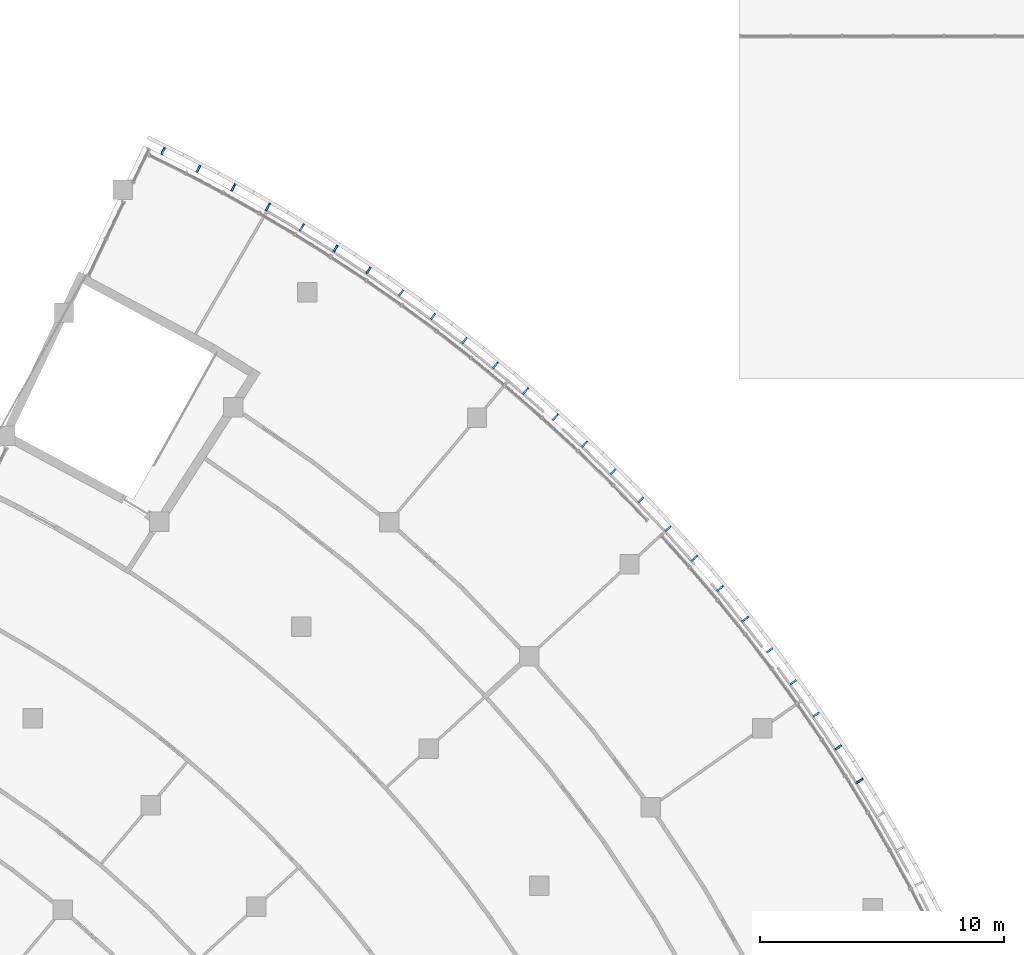
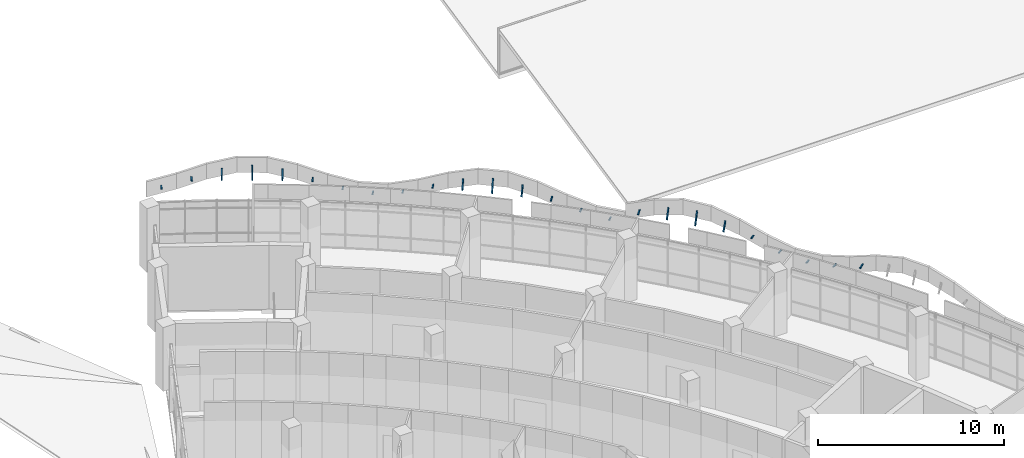
# One storey, part 95 of 137: 25 discrete accessories.
"""IFC4 building model written with IfcOpenShell, lengths in metres."""

from ifc_helpers import new_model, si_unit, direction, frame, origin, origin_2d, place, context, subcontext, project, spatial, rectangle, extrude, material, material_profile, profile_set, type_object, element, save


model = new_model("IFC4")

# Units and contexts
model_context = context("Model", 3, precision=1e-05, world=origin(), true_north=direction((0.0, 1.0)))
body_context = subcontext(model_context, "Body", "Model", "MODEL_VIEW")
ifc_project = project(units=[si_unit("LENGTHUNIT", "METRE"), si_unit("AREAUNIT", "SQUARE_METRE"), si_unit("VOLUMEUNIT", "CUBIC_METRE"), si_unit("PLANEANGLEUNIT", "RADIAN"), si_unit("MASSUNIT", "GRAM", prefix="KILO")], contexts=[model_context])

# Site, building, storey
site_placement = place(None, origin())
site = spatial("IfcSite", under=ifc_project, at=site_placement, CompositionType="ELEMENT")
building_placement = place(site_placement, origin())
building = spatial("IfcBuilding", under=site, at=building_placement, Name="Bougainvillea Quay General Hospital", CompositionType="ELEMENT")
storey_placement = place(building_placement, frame((0.0, 0.0, 16.800048828125)))
storey = spatial("IfcBuildingStorey", under=building, at=storey_placement, Name="L03", CompositionType="ELEMENT", Elevation=16.800048828125)

# Discrete accessories
ifc_material = material(Name="Stainless steel bracket, grade 316", Category="steel")
ifc_material_profile = material_profile(ifc_material, rectangle(XDim=0.080078125, YDim=0.050048828125, at=origin_2d()))
ifc_profile_set = profile_set([ifc_material_profile], Name="Stainless steel bracket, grade 316")
discrete_accessory_type = type_object("IfcDiscreteAccessoryType", Name="Stainless steel stand-off bracket 80x50", PredefinedType="BRACKET", material=ifc_profile_set)
discrete_accessory_1_placement = place(storey_placement, frame((159.641845703125, 70.5283203125, 3.46142578125), z_axis=(0.720801797987, 0.693141232376, 0.0), x_axis=(-0.693141232376, 0.720801797987, 0.0)))
element("IfcDiscreteAccessory", 1, at=discrete_accessory_1_placement, inside=storey, type_object=discrete_accessory_type, Name="Fascia bracket a10 1", PredefinedType="BRACKET", context=body_context, shape_type="SweptSolid", body=[
    extrude(rectangle(XDim=0.080078125, YDim=0.050048828125, at=origin_2d()), origin(), (0.0, 0.0, 1.0), 0.300048828125),
])
discrete_accessory_2_placement = place(storey_placement, frame((158.50244140625, 71.685546875, 3.712158203125), z_axis=(0.704251467002, 0.709950611822, 0.0), x_axis=(-0.709950611822, 0.704251467002, 0.0)))
element("IfcDiscreteAccessory", 2, at=discrete_accessory_2_placement, inside=storey, type_object=discrete_accessory_type, Name="Fascia bracket a10 2", PredefinedType="BRACKET", context=body_context, shape_type="SweptSolid", body=[
    extrude(rectangle(XDim=0.080078125, YDim=0.050048828125, at=origin_2d()), origin(), (0.0, 0.0, 1.0), 0.2998046875),
])
discrete_accessory_3_placement = place(storey_placement, frame((157.336181640625, 72.816162109375, 4.139892578125), z_axis=(0.65042869296, 0.686606383575, 0.324829477431), x_axis=(-0.72597406998, 0.687722073019, 0.0)))
element("IfcDiscreteAccessory", 3, at=discrete_accessory_3_placement, inside=storey, type_object=discrete_accessory_type, Name="Fascia bracket a10 3", PredefinedType="BRACKET", context=body_context, shape_type="SweptSolid", body=[
    extrude(rectangle(XDim=0.080078125, YDim=0.050048828125, at=origin_2d()), origin(), (0.0, 0.0, 1.0), 0.317138671875),
])
discrete_accessory_4_placement = place(storey_placement, frame((156.144287109375, 73.91943359375, 4.139892578125), z_axis=(0.296297043365, 0.327580833138, 0.897161557276), x_axis=(-0.741632203079, 0.670806734728, 0.0)))
element("IfcDiscreteAccessory", 4, at=discrete_accessory_4_placement, inside=storey, type_object=discrete_accessory_type, Name="Fascia bracket a10 4", PredefinedType="BRACKET", context=body_context, shape_type="SweptSolid", body=[
    extrude(rectangle(XDim=0.080078125, YDim=0.050048828125, at=origin_2d()), origin(), (0.0, 0.0, 1.0), 0.678955078125),
])
discrete_accessory_5_placement = place(storey_placement, frame((154.927001953125, 74.99462890625, 4.139892578125), z_axis=(0.229504601567, 0.265802340544, 0.93631018024), x_axis=(-0.756896202885, 0.653535108512, 0.0)))
element("IfcDiscreteAccessory", 5, at=discrete_accessory_5_placement, inside=storey, type_object=discrete_accessory_type, Name="Fascia bracket a10 5", PredefinedType="BRACKET", context=body_context, shape_type="SweptSolid", body=[
    extrude(rectangle(XDim=0.080078125, YDim=0.050048828125, at=origin_2d()), origin(), (0.0, 0.0, 1.0), 0.854248046875),
])
discrete_accessory_6_placement = place(storey_placement, frame((153.68505859375, 76.041259765625, 4.139892578125), z_axis=(0.297773996167, 0.361827813524, 0.883408897718), x_axis=(-0.77214157082, 0.635450544584, 0.0)))
element("IfcDiscreteAccessory", 6, at=discrete_accessory_6_placement, inside=storey, type_object=discrete_accessory_type, Name="Fascia bracket a10 6", PredefinedType="BRACKET", context=body_context, shape_type="SweptSolid", body=[
    extrude(rectangle(XDim=0.080078125, YDim=0.050048828125, at=origin_2d()), origin(), (0.0, 0.0, 1.0), 0.640380859375),
])
discrete_accessory_7_placement = place(storey_placement, frame((152.419189453125, 77.058837890625, 4.139892578125), z_axis=(0.61174000337, 0.779384167667, 0.135404901932), x_axis=(-0.786628745122, 0.617426284951, 0.0)))
element("IfcDiscreteAccessory", 7, at=discrete_accessory_7_placement, inside=storey, type_object=discrete_accessory_type, Name="Fascia bracket a10 7", PredefinedType="BRACKET", context=body_context, shape_type="SweptSolid", body=[
    extrude(rectangle(XDim=0.080078125, YDim=0.050048828125, at=origin_2d()), origin(), (0.0, 0.0, 1.0), 0.302978515625),
])
for number, where, z_axis, x_axis, name in (
    (8, (151.130126953125, 78.046875, 3.66748046875), (0.598957825591, 0.80078057117, 0.0), (-0.80078057117, 0.598957825591, 0.0), "Fascia bracket a10 8"),
    (9, (149.818359375, 79.004638671875, 3.459716796875), (0.58016009624, 0.814502463305, 0.0), (-0.814502463305, 0.58016009624, 0.0), "Fascia bracket a10 9"),
):
    element("IfcDiscreteAccessory", number, at=place(storey_placement, frame(where, z_axis=z_axis, x_axis=x_axis)), inside=storey, type_object=discrete_accessory_type, Name=name, PredefinedType="BRACKET", context=body_context, shape_type="SweptSolid", body=[
        extrude(rectangle(XDim=0.080078125, YDim=0.050048828125, at=origin_2d()), origin(), (0.0, 0.0, 1.0), 0.300048828125),
    ])
discrete_accessory_8_placement = place(storey_placement, frame((148.48486328125, 79.931640625, 3.67724609375), z_axis=(0.560884144234, 0.827894302883, 0.0), x_axis=(-0.827894302883, 0.560884144234, 0.0)))
element("IfcDiscreteAccessory", 10, at=discrete_accessory_8_placement, inside=storey, type_object=discrete_accessory_type, Name="Fascia bracket a10 10", PredefinedType="BRACKET", context=body_context, shape_type="SweptSolid", body=[
    extrude(rectangle(XDim=0.080078125, YDim=0.050048828125, at=origin_2d()), origin(), (0.0, 0.0, 1.0), 0.2998046875),
])
discrete_accessory_9_placement = place(storey_placement, frame((147.130126953125, 80.82763671875, 4.139892578125), z_axis=(0.533009833974, 0.826725463206, 0.180070889856), x_axis=(-0.840463994004, 0.54186739594, 0.0)))
element("IfcDiscreteAccessory", 11, at=discrete_accessory_9_placement, inside=storey, type_object=discrete_accessory_type, Name="Fascia bracket a10 11", PredefinedType="BRACKET", context=body_context, shape_type="SweptSolid", body=[
    extrude(rectangle(XDim=0.080078125, YDim=0.050048828125, at=origin_2d()), origin(), (0.0, 0.0, 1.0), 0.30517578125),
])
discrete_accessory_10_placement = place(storey_placement, frame((145.7548828125, 81.69189453125, 4.139892578125), z_axis=(0.241438158983, 0.394123349866, 0.886777537197), x_axis=(-0.852718171949, 0.522371246556, 0.0)))
element("IfcDiscreteAccessory", 12, at=discrete_accessory_10_placement, inside=storey, type_object=discrete_accessory_type, Name="Fascia bracket a10 12", PredefinedType="BRACKET", context=body_context, shape_type="SweptSolid", body=[
    extrude(rectangle(XDim=0.080078125, YDim=0.050048828125, at=origin_2d()), origin(), (0.0, 0.0, 1.0), 0.649169921875),
])
discrete_accessory_11_placement = place(storey_placement, frame((144.360107421875, 82.52392578125, 4.139892578125), z_axis=(0.176242975151, 0.303640652489, 0.936344363931), x_axis=(-0.864868713915, 0.501998115226, 0.0)))
element("IfcDiscreteAccessory", 13, at=discrete_accessory_11_placement, inside=storey, type_object=discrete_accessory_type, Name="Fascia bracket a10 13", PredefinedType="BRACKET", context=body_context, shape_type="SweptSolid", body=[
    extrude(rectangle(XDim=0.080078125, YDim=0.050048828125, at=origin_2d()), origin(), (0.0, 0.0, 1.0), 0.854736328125),
])
discrete_accessory_12_placement = place(storey_placement, frame((142.9462890625, 83.323486328125, 4.139892578125), z_axis=(0.215560394839, 0.392159704799, 0.894284340749), x_axis=(-0.876336137747, 0.481700086858, 0.0)))
element("IfcDiscreteAccessory", 14, at=discrete_accessory_12_placement, inside=storey, type_object=discrete_accessory_type, Name="Fascia bracket a10 14", PredefinedType="BRACKET", context=body_context, shape_type="SweptSolid", body=[
    extrude(rectangle(XDim=0.080078125, YDim=0.050048828125, at=origin_2d()), origin(), (0.0, 0.0, 1.0), 0.67041015625),
])
discrete_accessory_13_placement = place(storey_placement, frame((141.514404296875, 84.090087890625, 4.139892578125), z_axis=(0.442373253734, 0.850417718818, 0.284772905843), x_axis=(-0.887150162952, 0.461480864581, 0.0)))
element("IfcDiscreteAccessory", 15, at=discrete_accessory_13_placement, inside=storey, type_object=discrete_accessory_type, Name="Fascia bracket a10 15", PredefinedType="BRACKET", context=body_context, shape_type="SweptSolid", body=[
    extrude(rectangle(XDim=0.080078125, YDim=0.050048828125, at=origin_2d()), origin(), (0.0, 0.0, 1.0), 0.31298828125),
])
discrete_accessory_14_placement = place(storey_placement, frame((140.06494140625, 84.822998046875, 3.7021484375), z_axis=(0.441018877805, 0.897497826972, 0.0), x_axis=(-0.897497826972, 0.441018877805, 0.0)))
element("IfcDiscreteAccessory", 16, at=discrete_accessory_14_placement, inside=storey, type_object=discrete_accessory_type, Name="Fascia bracket a10 16", PredefinedType="BRACKET", context=body_context, shape_type="SweptSolid", body=[
    extrude(rectangle(XDim=0.080078125, YDim=0.050048828125, at=origin_2d()), origin(), (0.0, 0.0, 1.0), 0.300048828125),
])
discrete_accessory_15_placement = place(storey_placement, frame((168.607421875, 59.015625, 4.139892578125), z_axis=(0.815701025108, 0.50834675582, 0.276071392007), x_axis=(-0.528901380348, 0.84868329185, 0.0)))
element("IfcDiscreteAccessory", 17, at=discrete_accessory_15_placement, inside=storey, type_object=discrete_accessory_type, Name="Fascia bracket a14 20", PredefinedType="BRACKET", context=body_context, shape_type="SweptSolid", body=[
    extrude(rectangle(XDim=0.080078125, YDim=0.050048828125, at=origin_2d()), origin(), (0.0, 0.0, 1.0), 0.312255859375),
])
discrete_accessory_16_placement = place(storey_placement, frame((167.732666015625, 60.38427734375, 3.69970703125), z_axis=(0.836409631759, 0.548104851192, 0.0), x_axis=(-0.548104851192, 0.836409631759, 0.0)))
element("IfcDiscreteAccessory", 18, at=discrete_accessory_16_placement, inside=storey, type_object=discrete_accessory_type, Name="Fascia bracket a14 21", PredefinedType="BRACKET", context=body_context, shape_type="SweptSolid", body=[
    extrude(rectangle(XDim=0.080078125, YDim=0.050048828125, at=origin_2d()), origin(), (0.0, 0.0, 1.0), 0.2998046875),
])
discrete_accessory_17_placement = place(storey_placement, frame((166.826171875, 61.73193359375, 3.460693359375), z_axis=(0.82318656665, 0.56777097186, 0.0), x_axis=(-0.56777097186, 0.82318656665, 0.0)))
element("IfcDiscreteAccessory", 19, at=discrete_accessory_17_placement, inside=storey, type_object=discrete_accessory_type, Name="Fascia bracket a14 22", PredefinedType="BRACKET", context=body_context, shape_type="SweptSolid", body=[
    extrude(rectangle(XDim=0.080078125, YDim=0.050048828125, at=origin_2d()), origin(), (0.0, 0.0, 1.0), 0.300048828125),
])
discrete_accessory_18_placement = place(storey_placement, frame((165.888671875, 63.058349609375, 3.646240234375), z_axis=(0.810035366697, 0.586381023482, 0.0), x_axis=(-0.586381023482, 0.810035366697, 0.0)))
element("IfcDiscreteAccessory", 20, at=discrete_accessory_18_placement, inside=storey, type_object=discrete_accessory_type, Name="Fascia bracket a14 23", PredefinedType="BRACKET", context=body_context, shape_type="SweptSolid", body=[
    extrude(rectangle(XDim=0.080078125, YDim=0.050048828125, at=origin_2d()), origin(), (0.0, 0.0, 1.0), 0.30029296875),
])
discrete_accessory_19_placement = place(storey_placement, frame((164.9208984375, 64.36279296875, 4.139892578125), z_axis=(0.795828721515, 0.604601983728, 0.033362962763), x_axis=(-0.604938752283, 0.796272005025, 0.0)))
element("IfcDiscreteAccessory", 21, at=discrete_accessory_19_placement, inside=storey, type_object=discrete_accessory_type, Name="Fascia bracket a14 24", PredefinedType="BRACKET", context=body_context, shape_type="SweptSolid", body=[
    extrude(rectangle(XDim=0.080078125, YDim=0.050048828125, at=origin_2d()), origin(), (0.0, 0.0, 1.0), 0.300048828125),
])
discrete_accessory_20_placement = place(storey_placement, frame((163.9228515625, 65.64404296875, 4.139892578125), z_axis=(0.378419958811, 0.302027167958, 0.874973099352), x_axis=(-0.623801991766, 0.781582417323, 0.0)))
element("IfcDiscreteAccessory", 22, at=discrete_accessory_20_placement, inside=storey, type_object=discrete_accessory_type, Name="Fascia bracket a14 25", PredefinedType="BRACKET", context=body_context, shape_type="SweptSolid", body=[
    extrude(rectangle(XDim=0.080078125, YDim=0.050048828125, at=origin_2d()), origin(), (0.0, 0.0, 1.0), 0.6201171875),
])
discrete_accessory_21_placement = place(storey_placement, frame((162.8955078125, 66.902099609375, 4.139892578125), z_axis=(0.269825088549, 0.225713556026, 0.936081092756), x_axis=(-0.641624886173, 0.767018582202, 0.0)))
element("IfcDiscreteAccessory", 23, at=discrete_accessory_21_placement, inside=storey, type_object=discrete_accessory_type, Name="Fascia bracket a14 26", PredefinedType="BRACKET", context=body_context, shape_type="SweptSolid", body=[
    extrude(rectangle(XDim=0.080078125, YDim=0.050048828125, at=origin_2d()), origin(), (0.0, 0.0, 1.0), 0.852294921875),
])
discrete_accessory_22_placement = place(storey_placement, frame((161.839111328125, 68.135986328125, 4.139892578125), z_axis=(0.323544802525, 0.283626937278, 0.902704005313), x_axis=(-0.659195718475, 0.751971412186, 0.0)))
element("IfcDiscreteAccessory", 24, at=discrete_accessory_22_placement, inside=storey, type_object=discrete_accessory_type, Name="Fascia bracket a14 27", PredefinedType="BRACKET", context=body_context, shape_type="SweptSolid", body=[
    extrude(rectangle(XDim=0.080078125, YDim=0.050048828125, at=origin_2d()), origin(), (0.0, 0.0, 1.0), 0.697265625),
])
discrete_accessory_23_placement = place(storey_placement, frame((160.75439453125, 69.344970703125, 4.139892578125), z_axis=(0.671885433681, 0.616946735236, 0.409812993803), x_axis=(-0.676350933902, 0.736579536921, 0.0)))
element("IfcDiscreteAccessory", 25, at=discrete_accessory_23_placement, inside=storey, type_object=discrete_accessory_type, Name="Fascia bracket a14 28", PredefinedType="BRACKET", context=body_context, shape_type="SweptSolid", body=[
    extrude(rectangle(XDim=0.080078125, YDim=0.050048828125, at=origin_2d()), origin(), (0.0, 0.0, 1.0), 0.328857421875),
])

save(model, "model.ifc")
